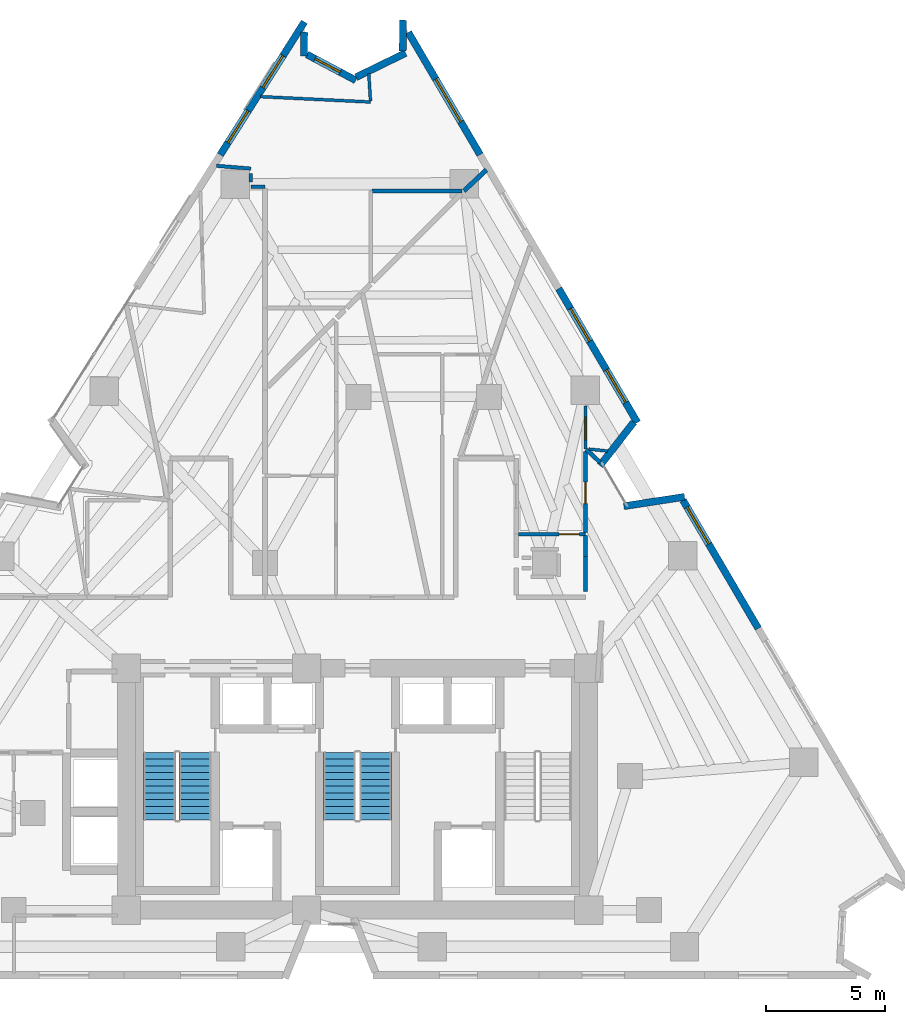
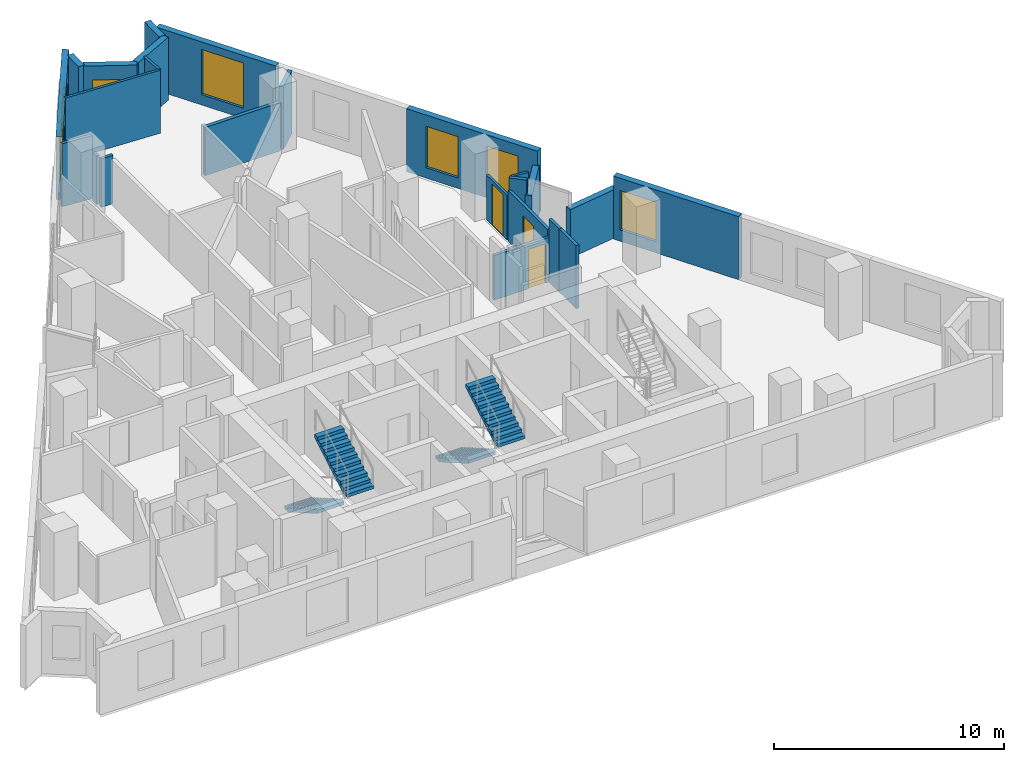
# One storey, part 9 of 12: 24 walls, 7 windows, 4 stair flights, 3 doors, 10 openings, 2 elements without a shape of their own.
"""IFC4 building model written with IfcOpenShell, lengths in metres."""

from ifc_helpers import new_model, si_unit, direction, frame, frame_2d, origin, place, context, subcontext, project, spatial, polyline, rectangle, outline, extrude, material, layer, layer_set, type_object, element, fill, aggregate, save


model = new_model("IFC4")

# Units and contexts
model_context = context("Model", 3, precision=1e-05, world=origin(), true_north=direction((0.0, 1.0)))
body_context = subcontext(model_context, "Body", "Model", "MODEL_VIEW")
ifc_project = project(units=[si_unit("LENGTHUNIT", "METRE"), si_unit("AREAUNIT", "SQUARE_METRE"), si_unit("VOLUMEUNIT", "CUBIC_METRE"), si_unit("PLANEANGLEUNIT", "RADIAN"), si_unit("MASSUNIT", "GRAM", prefix="KILO")], contexts=[model_context])

# Site, building, storey
site_placement = place(None, origin())
site = spatial("IfcSite", under=ifc_project, at=site_placement, CompositionType="ELEMENT")
building_placement = place(site_placement, origin())
building = spatial("IfcBuilding", under=site, at=building_placement, Name="Almagre Mirador Tower", CompositionType="ELEMENT")
storey_placement = place(building_placement, frame((0.0, 0.0, 114.0)))
storey = spatial("IfcBuildingStorey", under=building, at=storey_placement, Name="L28", CompositionType="ELEMENT", Elevation=114.0)

# Wall, openings, windows
ifc_material_1 = material(Name="Precast concrete C50/60", Category="concrete")
ifc_layer_1 = layer(ifc_material_1, 0.300048828125)
ifc_layer_set_1 = layer_set([ifc_layer_1], Name="Precast concrete C50/60")
wall_type_1 = type_object("IfcWallType", Name="WAL-EXT-300", PredefinedType="SOLIDWALL", material=ifc_layer_set_1)
wall_1_placement = place(storey_placement, frame((31.5126953125, 36.4150390625, 0.0), z_axis=(0.0, 0.0, 1.0), x_axis=(0.534892719091, 0.844919983823, 0.0)))
wall_1 = element("IfcWall", 1, at=wall_1_placement, inside=storey, type_object=wall_type_1, Name="L28 expressed almagre precast frame wall 04", PredefinedType="SOLIDWALL", context=body_context, shape_type="SweptSolid", body=[
    extrude(rectangle(XDim=6.6337890625, YDim=0.300048828125, at=frame_2d((3.31689453125, 0.0))), origin(), (0.0, 0.0, 1.0), 3.35009765625),
])
opening_1_placement = place(wall_1_placement, frame((0.60009765625, 0.0, 0.550048828125)))
opening_1 = element("IfcOpeningElement", 2, at=opening_1_placement, cuts=wall_1, Name="Opening WN-06", PredefinedType="OPENING", context=body_context, shape_type="SweptSolid", body=[
    extrude(rectangle(XDim=1.60009765625, YDim=2.199951171875, at=frame_2d((0.800048828125, 1.10009765625))), frame((0.0, 0.159902, 0.0), z_axis=(0.0, -1.0, 0.0), x_axis=(1.0, 0.0, 0.0)), (0.0, 0.0, 1.0), 0.320049),
])
opening_2_placement = place(wall_1_placement, frame((3.35009765625, 0.0, 0.550048828125)))
opening_2 = element("IfcOpeningElement", 3, at=opening_2_placement, cuts=wall_1, Name="Opening WN-06", PredefinedType="OPENING", context=body_context, shape_type="SweptSolid", body=[
    extrude(rectangle(XDim=1.60009765625, YDim=2.199951171875, at=frame_2d((0.800048828125, 1.10009765625))), frame((0.0, 0.159902, 0.0), z_axis=(0.0, -1.0, 0.0), x_axis=(1.0, 0.0, 0.0)), (0.0, 0.0, 1.0), 0.320049),
])
ifc_material_2 = material(Name="Dark solar-control laminated hurricane glass", Category="glass")
window_type_1 = type_object("IfcWindowType", Name="WIN-1600X2200", PartitioningType="DOUBLE_PANEL_VERTICAL", PredefinedType="WINDOW", material=ifc_material_2)
window_1_placement = place(opening_1_placement, origin())
window_1 = element("IfcWindow", 4, at=window_1_placement, inside=storey, type_object=window_type_1, Name="L28 recessed hurricane window L28-UJ-HB", OverallHeight=2.199951171875, OverallWidth=1.60009765625, PartitioningType="SINGLE_PANEL", PredefinedType="WINDOW", context=body_context, shape_type="SweptSolid", body=[
    extrude(rectangle(XDim=1.60009765625, YDim=2.199951171875, at=frame_2d((0.800048828125, 1.10009765625))), frame((0.0, 0.030029296875, 0.0), z_axis=(0.0, -1.0, 0.0), x_axis=(1.0, 0.0, 0.0)), (0.0, 0.0, 1.0), 0.06005859375),
])
fill(opening_1, window_1)
window_2_placement = place(opening_2_placement, origin())
window_2 = element("IfcWindow", 5, at=window_2_placement, inside=storey, type_object=window_type_1, Name="L28 recessed hurricane window L28-UL-KT", OverallHeight=2.199951171875, OverallWidth=1.60009765625, PartitioningType="SINGLE_PANEL", PredefinedType="WINDOW", context=body_context, shape_type="SweptSolid", body=[
    extrude(rectangle(XDim=1.60009765625, YDim=2.199951171875, at=frame_2d((0.800048828125, 1.10009765625))), frame((0.0, 0.030029296875, 0.0), z_axis=(0.0, -1.0, 0.0), x_axis=(1.0, 0.0, 0.0)), (0.0, 0.0, 1.0), 0.06005859375),
])
fill(opening_2, window_2)

# Wall
wall_2_placement = place(storey_placement, frame((35.0537109375, 41.585205078125, 0.0), z_axis=(0.0, 0.0, 1.0), x_axis=(-0.016913964816, -0.999856948665, 0.0)))
element("IfcWall", 6, at=wall_2_placement, inside=storey, type_object=wall_type_1, Name="L28 expressed almagre precast frame wall 05", PredefinedType="SOLIDWALL", context=body_context, shape_type="SweptSolid", body=[
    extrude(rectangle(XDim=1.010498046875, YDim=0.300048828125, at=frame_2d((0.50537109375, 0.0))), origin(), (0.0, 0.0, 1.0), 3.35009765625),
])

# Wall, opening, window
wall_3_placement = place(storey_placement, frame((35.1669921875, 40.647216796875, 0.0), z_axis=(0.0, 0.0, 1.0), x_axis=(0.883555999994, -0.468325522339, 0.0)))
wall_3 = element("IfcWall", 7, at=wall_3_placement, inside=storey, type_object=wall_type_1, Name="L28 expressed almagre precast frame wall 06", PredefinedType="SOLIDWALL", context=body_context, shape_type="SweptSolid", body=[
    extrude(rectangle(XDim=2.331298828125, YDim=0.300048828125, at=frame_2d((1.16552734375, 0.0))), origin(), (0.0, 0.0, 1.0), 3.35009765625),
])
opening_3_placement = place(wall_3_placement, frame((0.389892578125, 0.0, 0.800048828125)))
opening_3 = element("IfcOpeningElement", 8, at=opening_3_placement, cuts=wall_3, Name="Opening WN-04", PredefinedType="OPENING", context=body_context, shape_type="SweptSolid", body=[
    extrude(rectangle(XDim=1.199951171875, YDim=1.800048828125, at=frame_2d((0.60009765625, 0.89990234375))), frame((0.0, 0.159902, 0.0), z_axis=(0.0, -1.0, 0.0), x_axis=(1.0, 0.0, 0.0)), (0.0, 0.0, 1.0), 0.320049),
])
ifc_material_3 = material(Name="Dark solar-control laminated hurricane glass", Category="glass")
window_type_2 = type_object("IfcWindowType", Name="WIN-1200X1800", PartitioningType="SINGLE_PANEL", PredefinedType="WINDOW", material=ifc_material_3)
window_3_placement = place(opening_3_placement, origin())
window_3 = element("IfcWindow", 9, at=window_3_placement, inside=storey, type_object=window_type_2, Name="L28 recessed hurricane window L28-UL-KT", OverallHeight=1.800048828125, OverallWidth=1.199951171875, PartitioningType="SINGLE_PANEL", PredefinedType="WINDOW", context=body_context, shape_type="SweptSolid", body=[
    extrude(rectangle(XDim=1.199951171875, YDim=1.800048828125, at=frame_2d((0.60009765625, 0.89990234375))), frame((0.0, 0.030029296875, 0.0), z_axis=(0.0, -1.0, 0.0), x_axis=(1.0, 0.0, 0.0)), (0.0, 0.0, 1.0), 0.06005859375),
])
fill(opening_3, window_3)

# Walls
wall_4_placement = place(storey_placement, frame((37.2421875, 39.68896484375, 0.0), z_axis=(0.0, 0.0, 1.0), x_axis=(0.898736119344, 0.438489894738, 0.0)))
element("IfcWall", 10, at=wall_4_placement, inside=storey, type_object=wall_type_1, Name="L28 expressed almagre precast frame wall 07", PredefinedType="SOLIDWALL", context=body_context, shape_type="SweptSolid", body=[
    extrude(rectangle(XDim=2.32275390625, YDim=0.300048828125, at=frame_2d((1.161376953125, 0.0))), origin(), (0.0, 0.0, 1.0), 3.35009765625),
])
wall_5_placement = place(storey_placement, frame((39.206298828125, 40.791015625, 0.0), z_axis=(0.0, 0.0, 1.0), x_axis=(0.01614812892, 0.999869610465, 0.0)))
element("IfcWall", 11, at=wall_5_placement, inside=storey, type_object=wall_type_1, Name="L28 expressed almagre precast frame wall 08", PredefinedType="SOLIDWALL", context=body_context, shape_type="SweptSolid", body=[
    extrude(rectangle(XDim=1.30029296875, YDim=0.300048828125, at=frame_2d((0.650146484375, 0.0))), origin(), (0.0, 0.0, 1.0), 3.35009765625),
])

# Wall, opening, window
wall_6_placement = place(storey_placement, frame((39.442626953125, 41.580078125, 0.0), z_axis=(0.0, 0.0, 1.0), x_axis=(0.506342397937, -0.862332520581, 0.0)))
wall_6 = element("IfcWall", 12, at=wall_6_placement, inside=storey, type_object=wall_type_1, Name="L28 expressed almagre precast frame wall 09", PredefinedType="SOLIDWALL", context=body_context, shape_type="SweptSolid", body=[
    extrude(rectangle(XDim=5.983642578125, YDim=0.300048828125, at=frame_2d((2.99169921875, 0.0))), origin(), (0.0, 0.0, 1.0), 3.35009765625),
])
opening_4_placement = place(wall_6_placement, frame((2.280029296875, 0.0, 0.550048828125)))
opening_4 = element("IfcOpeningElement", 13, at=opening_4_placement, cuts=wall_6, Name="Opening WN-05", PredefinedType="OPENING", context=body_context, shape_type="SweptSolid", body=[
    extrude(rectangle(XDim=2.10009765625, YDim=2.39990234375, at=frame_2d((1.050048828125, 1.199951171875))), frame((0.0, 0.159902, 0.0), z_axis=(0.0, -1.0, 0.0), x_axis=(1.0, 0.0, 0.0)), (0.0, 0.0, 1.0), 0.320049),
])
ifc_material_4 = material(Name="Dark solar-control laminated hurricane glass", Category="glass")
window_type_3 = type_object("IfcWindowType", Name="WIN-2100X2400", PartitioningType="DOUBLE_PANEL_VERTICAL", PredefinedType="WINDOW", material=ifc_material_4)
window_4_placement = place(opening_4_placement, origin())
window_4 = element("IfcWindow", 14, at=window_4_placement, inside=storey, type_object=window_type_3, Name="L28 recessed hurricane window L28-UL-MB", OverallHeight=2.39990234375, OverallWidth=2.10009765625, PartitioningType="SINGLE_PANEL", PredefinedType="WINDOW", context=body_context, shape_type="SweptSolid", body=[
    extrude(rectangle(XDim=2.10009765625, YDim=2.39990234375, at=frame_2d((1.050048828125, 1.199951171875))), frame((0.0, 0.030029296875, 0.0), z_axis=(0.0, -1.0, 0.0), x_axis=(1.0, 0.0, 0.0)), (0.0, 0.0, 1.0), 0.06005859375),
])
fill(opening_4, window_4)

# Wall, openings, windows
wall_7_placement = place(storey_placement, frame((45.79052734375, 30.768798828125, 0.0), z_axis=(0.0, 0.0, 1.0), x_axis=(0.506326446954, -0.862341886443, 0.0)))
wall_7 = element("IfcWall", 15, at=wall_7_placement, inside=storey, type_object=wall_type_1, Name="L28 expressed almagre precast frame wall 11", PredefinedType="SOLIDWALL", context=body_context, shape_type="SweptSolid", body=[
    extrude(rectangle(XDim=6.5537109375, YDim=0.300048828125, at=frame_2d((3.27685546875, 0.0))), origin(), (0.0, 0.0, 1.0), 3.35009765625),
])
opening_5_placement = place(wall_7_placement, frame((0.97509765625, 0.0, 0.550048828125)))
opening_5 = element("IfcOpeningElement", 16, at=opening_5_placement, cuts=wall_7, Name="Opening WN-06", PredefinedType="OPENING", context=body_context, shape_type="SweptSolid", body=[
    extrude(rectangle(XDim=1.60009765625, YDim=2.199951171875, at=frame_2d((0.800048828125, 1.10009765625))), frame((0.0, 0.159902, 0.0), z_axis=(0.0, -1.0, 0.0), x_axis=(1.0, 0.0, 0.0)), (0.0, 0.0, 1.0), 0.320049),
])
opening_6_placement = place(wall_7_placement, frame((3.97509765625, 0.0, 0.550048828125)))
opening_6 = element("IfcOpeningElement", 17, at=opening_6_placement, cuts=wall_7, Name="Opening WN-06", PredefinedType="OPENING", context=body_context, shape_type="SweptSolid", body=[
    extrude(rectangle(XDim=1.60009765625, YDim=2.199951171875, at=frame_2d((0.800048828125, 1.10009765625))), frame((0.0, 0.159902, 0.0), z_axis=(0.0, -1.0, 0.0), x_axis=(1.0, 0.0, 0.0)), (0.0, 0.0, 1.0), 0.320049),
])
window_5_placement = place(opening_5_placement, origin())
window_5 = element("IfcWindow", 18, at=window_5_placement, inside=storey, type_object=window_type_1, Name="L28 recessed hurricane window L28-UH-LV", OverallHeight=2.199951171875, OverallWidth=1.60009765625, PartitioningType="SINGLE_PANEL", PredefinedType="WINDOW", context=body_context, shape_type="SweptSolid", body=[
    extrude(rectangle(XDim=1.60009765625, YDim=2.199951171875, at=frame_2d((0.800048828125, 1.10009765625))), frame((0.0, 0.030029296875, 0.0), z_axis=(0.0, -1.0, 0.0), x_axis=(1.0, 0.0, 0.0)), (0.0, 0.0, 1.0), 0.06005859375),
])
fill(opening_5, window_5)
window_6_placement = place(opening_6_placement, origin())
window_6 = element("IfcWindow", 19, at=window_6_placement, inside=storey, type_object=window_type_1, Name="L28 recessed hurricane window L28-UH-KT", OverallHeight=2.199951171875, OverallWidth=1.60009765625, PartitioningType="SINGLE_PANEL", PredefinedType="WINDOW", context=body_context, shape_type="SweptSolid", body=[
    extrude(rectangle(XDim=1.60009765625, YDim=2.199951171875, at=frame_2d((0.800048828125, 1.10009765625))), frame((0.0, 0.030029296875, 0.0), z_axis=(0.0, -1.0, 0.0), x_axis=(1.0, 0.0, 0.0)), (0.0, 0.0, 1.0), 0.06005859375),
])
fill(opening_6, window_6)

# Walls
wall_8_placement = place(storey_placement, frame((48.955078125, 25.131591796875, 0.0), z_axis=(0.0, 0.0, 1.0), x_axis=(-0.614326980446, -0.789051557946, 0.0)))
element("IfcWall", 20, at=wall_8_placement, inside=storey, type_object=wall_type_1, Name="L28 expressed almagre precast frame wall 12", PredefinedType="SOLIDWALL", context=body_context, shape_type="SweptSolid", body=[
    extrude(rectangle(XDim=2.318115234375, YDim=0.300048828125, at=frame_2d((1.1591796875, 0.0))), origin(), (0.0, 0.0, 1.0), 2.574951171875),
])
wall_9_placement = place(storey_placement, frame((48.53662109375, 21.588623046875, 0.0), z_axis=(0.0, 0.0, 1.0), x_axis=(0.988351014823, 0.152191561848, 0.0)))
element("IfcWall", 21, at=wall_9_placement, inside=storey, type_object=wall_type_1, Name="L28 expressed almagre precast frame wall 13", PredefinedType="SOLIDWALL", context=body_context, shape_type="SweptSolid", body=[
    extrude(rectangle(XDim=2.593994140625, YDim=0.300048828125, at=frame_2d((1.296875, 0.0))), origin(), (0.0, 0.0, 1.0), 2.574951171875),
])

# Wall, opening, window
wall_10_placement = place(storey_placement, frame((51.032958984375, 21.84130859375, 0.0), z_axis=(0.0, 0.0, 1.0), x_axis=(0.506317595085, -0.862347083782, 0.0)))
wall_10 = element("IfcWall", 22, at=wall_10_placement, inside=storey, type_object=wall_type_1, Name="L28 expressed almagre precast frame wall 14", PredefinedType="SOLIDWALL", context=body_context, shape_type="SweptSolid", body=[
    extrude(rectangle(XDim=6.273681640625, YDim=0.300048828125, at=frame_2d((3.13671875, 0.0))), origin(), (0.0, 0.0, 1.0), 3.35009765625),
])
opening_7_placement = place(wall_10_placement, frame((0.344970703125, 0.0, 0.60009765625)))
opening_7 = element("IfcOpeningElement", 23, at=opening_7_placement, cuts=wall_10, Name="Opening WN-01", PredefinedType="OPENING", context=body_context, shape_type="SweptSolid", body=[
    extrude(rectangle(XDim=1.800048828125, YDim=2.10009765625, at=frame_2d((0.89990234375, 1.050048828125))), frame((0.0, 0.159902, 0.0), z_axis=(0.0, -1.0, 0.0), x_axis=(1.0, 0.0, 0.0)), (0.0, 0.0, 1.0), 0.320049),
])
ifc_material_5 = material(Name="Dark solar-control laminated hurricane glass", Category="glass")
window_type_4 = type_object("IfcWindowType", Name="WIN-1800X2100", PartitioningType="DOUBLE_PANEL_VERTICAL", PredefinedType="WINDOW", material=ifc_material_5)
window_7_placement = place(opening_7_placement, origin())
window_7 = element("IfcWindow", 24, at=window_7_placement, inside=storey, type_object=window_type_4, Name="L28 recessed hurricane window L28-UH-MB", OverallHeight=2.10009765625, OverallWidth=1.800048828125, PartitioningType="SINGLE_PANEL", PredefinedType="WINDOW", context=body_context, shape_type="SweptSolid", body=[
    extrude(rectangle(XDim=1.800048828125, YDim=2.10009765625, at=frame_2d((0.89990234375, 1.050048828125))), frame((0.0, 0.030029296875, 0.0), z_axis=(0.0, -1.0, 0.0), x_axis=(1.0, 0.0, 0.0)), (0.0, 0.0, 1.0), 0.06005859375),
])
fill(opening_7, window_7)

# Wall, opening, door
ifc_material_6 = material(Name="Gypsum acoustic stud partition", Category="other")
ifc_layer_2 = layer(ifc_material_6, 0.125)
ifc_layer_set_2 = layer_set([ifc_layer_2], Name="Gypsum acoustic stud partition")
wall_type_2 = type_object("IfcWallType", Name="WAL-PRT-125-UTL", PredefinedType="PARTITIONING", material=ifc_layer_set_2)
wall_11_placement = place(storey_placement, frame((46.919921875, 24.010009765625, 0.0), z_axis=(0.0, 0.0, 1.0), x_axis=(0.0, 1.0, 0.0)))
wall_11 = element("IfcWall", 25, at=wall_11_placement, inside=storey, type_object=wall_type_2, Name="L28 interior partition 069", PredefinedType="PARTITIONING", context=body_context, shape_type="SweptSolid", body=[
    extrude(rectangle(XDim=1.81005859375, YDim=0.125, at=frame_2d((0.905029296875, 0.0))), origin(), (0.0, 0.0, 1.0), 2.3720703125),
])
opening_8_placement = place(wall_11_placement, frame((0.3720703125, 0.0, 0.0)))
opening_8 = element("IfcOpeningElement", 26, at=opening_8_placement, cuts=wall_11, Name="Opening UD-01", PredefinedType="OPENING", context=body_context, shape_type="SweptSolid", body=[
    extrude(rectangle(XDim=0.949951171875, YDim=2.199951171875, at=frame_2d((0.47509765625, 1.10009765625))), frame((0.0, 0.0725, 0.0), z_axis=(0.0, -1.0, 0.0), x_axis=(1.0, 0.0, 0.0)), (0.0, 0.0, 1.0), 0.145),
])
ifc_material_7 = material(Name="Solid American walnut timber", Category="wood")
door_type_1 = type_object("IfcDoorType", Name="DOR-UNR-950X2200", OperationType="NOTDEFINED", PredefinedType="DOOR", material=ifc_material_7)
door_1_placement = place(opening_8_placement, origin())
door_1 = element("IfcDoor", 27, at=door_1_placement, inside=storey, type_object=door_type_1, Name="DR-0927 L28 interior door L28-UH-LV to L28-UH-KT", OperationType="SINGLE_SWING_LEFT", OverallHeight=2.199951171875, OverallWidth=0.949951171875, PredefinedType="DOOR", context=body_context, shape_type="SweptSolid", body=[
    extrude(rectangle(XDim=0.949951171875, YDim=2.199951171875, at=frame_2d((0.47509765625, 1.10009765625))), frame((0.0, 0.02490234375, 0.0), z_axis=(0.0, -1.0, 0.0), x_axis=(1.0, 0.0, 0.0)), (0.0, 0.0, 1.0), 0.050048828125),
])
fill(opening_8, door_1)

# Walls
wall_12_placement = place(storey_placement, frame((47.06689453125, 23.9970703125, 0.0), z_axis=(0.0, 0.0, 1.0), x_axis=(0.99466575773, -0.103150523024, 0.0)))
element("IfcWall", 28, at=wall_12_placement, inside=storey, type_object=wall_type_2, Name="L28 interior partition 074", PredefinedType="PARTITIONING", context=body_context, shape_type="SweptSolid", body=[
    extrude(rectangle(XDim=0.795166015625, YDim=0.125, at=frame_2d((0.3974609375, 0.0))), origin(), (0.0, 0.0, 1.0), 3.35009765625),
])
wall_13_placement = place(storey_placement, frame((37.85009765625, 38.639892578125, 0.0), z_axis=(0.0, 0.0, 1.0), x_axis=(-0.998808611293, 0.04879915989, 0.0)))
element("IfcWall", 29, at=wall_13_placement, inside=storey, type_object=wall_type_2, Name="L28 interior partition 089", PredefinedType="PARTITIONING", context=body_context, shape_type="SweptSolid", body=[
    extrude(rectangle(XDim=4.65283203125, YDim=0.125, at=frame_2d((2.326416015625, 0.0))), origin(), (0.0, 0.0, 1.0), 3.35009765625),
])
wall_14_placement = place(storey_placement, frame((37.84765625, 38.6875, 0.0), z_axis=(0.0, 0.0, 1.0), x_axis=(-0.061621436475, 0.998099593511, 0.0)))
element("IfcWall", 30, at=wall_14_placement, inside=storey, type_object=wall_type_2, Name="L28 interior partition 092", PredefinedType="PARTITIONING", context=body_context, shape_type="SweptSolid", body=[
    extrude(rectangle(XDim=1.164794921875, YDim=0.125, at=frame_2d((0.58251953125, 0.0))), origin(), (0.0, 0.0, 1.0), 3.35009765625),
])

# Wall, opening, door
ifc_material_8 = material(Name="Gypsum acoustic stud partition", Category="other")
ifc_layer_3 = layer(ifc_material_8, 0.14990234375)
ifc_layer_set_3 = layer_set([ifc_layer_3], Name="Gypsum acoustic stud partition")
wall_type_3 = type_object("IfcWallType", Name="WAL-PRT-150-STD", PredefinedType="PARTITIONING", material=ifc_layer_set_3)
wall_15_placement = place(storey_placement, frame((44.0849609375, 20.409912109375, 0.0), z_axis=(0.0, 0.0, 1.0), x_axis=(1.0, 0.0, 0.0)))
wall_15 = element("IfcWall", 31, at=wall_15_placement, inside=storey, type_object=wall_type_3, Name="L28 interior partition 068", PredefinedType="PARTITIONING", context=body_context, shape_type="SweptSolid", body=[
    extrude(rectangle(XDim=2.8349609375, YDim=0.14990234375, at=frame_2d((1.41748046875, 0.0))), origin(), (0.0, 0.0, 1.0), 2.3720703125),
])
opening_9_placement = place(wall_15_placement, frame((1.7255859375, 0.0, 0.0)))
opening_9 = element("IfcOpeningElement", 32, at=opening_9_placement, cuts=wall_15, Name="Opening UD-04", PredefinedType="OPENING", context=body_context, shape_type="SweptSolid", body=[
    extrude(rectangle(XDim=0.85009765625, YDim=2.10009765625, at=frame_2d((0.425048828125, 1.050048828125))), frame((0.0, 0.084951, 0.0), z_axis=(0.0, -1.0, 0.0), x_axis=(1.0, 0.0, 0.0)), (0.0, 0.0, 1.0), 0.169902),
])
ifc_material_9 = material(Name="Moisture-resistant oak timber", Category="wood")
door_type_2 = type_object("IfcDoorType", Name="DOR-UNR-850X2100", OperationType="NOTDEFINED", PredefinedType="DOOR", material=ifc_material_9)
door_2_placement = place(opening_9_placement, origin())
door_2 = element("IfcDoor", 33, at=door_2_placement, inside=storey, type_object=door_type_2, Name="DR-0928 L28 interior door L28-UH-LV to L28-UH-HB", OperationType="SINGLE_SWING_RIGHT", OverallHeight=2.10009765625, OverallWidth=0.85009765625, PredefinedType="DOOR", context=body_context, shape_type="SweptSolid", body=[
    extrude(rectangle(XDim=0.85009765625, YDim=2.10009765625, at=frame_2d((0.425048828125, 1.050048828125))), frame((0.0, 0.02490234375, 0.0), z_axis=(0.0, -1.0, 0.0), x_axis=(1.0, 0.0, 0.0)), (0.0, 0.0, 1.0), 0.050048828125),
])
fill(opening_9, door_2)

wall_16_placement = place(storey_placement, frame((46.919921875, 20.469970703125, 0.0), z_axis=(0.0, 0.0, 1.0), x_axis=(0.0, 1.0, 0.0)))
wall_16 = element("IfcWall", 34, at=wall_16_placement, inside=storey, type_object=wall_type_3, Name="L28 interior partition 070", PredefinedType="PARTITIONING", context=body_context, shape_type="SweptSolid", body=[
    extrude(rectangle(XDim=3.425048828125, YDim=0.14990234375, at=frame_2d((1.71240234375, 0.0))), origin(), (0.0, 0.0, 1.0), 2.7119140625),
])
opening_10_placement = place(wall_16_placement, frame((1.232421875, 0.0, 0.0)))
opening_10 = element("IfcOpeningElement", 35, at=opening_10_placement, cuts=wall_16, Name="Opening UD-02", PredefinedType="OPENING", context=body_context, shape_type="SweptSolid", body=[
    extrude(rectangle(XDim=0.89990234375, YDim=2.14990234375, at=frame_2d((0.449951171875, 1.074951171875))), frame((0.0, 0.084951, 0.0), z_axis=(0.0, -1.0, 0.0), x_axis=(1.0, 0.0, 0.0)), (0.0, 0.0, 1.0), 0.169902),
])
ifc_material_10 = material(Name="Solid American walnut timber", Category="wood")
door_type_3 = type_object("IfcDoorType", Name="DOR-UNR-900X2150", OperationType="NOTDEFINED", PredefinedType="DOOR", material=ifc_material_10)
door_3_placement = place(opening_10_placement, origin())
door_3 = element("IfcDoor", 36, at=door_3_placement, inside=storey, type_object=door_type_3, Name="DR-0929 L28 interior door L28-UH-LV to L28-UH-MB", OperationType="SINGLE_SWING_LEFT", OverallHeight=2.14990234375, OverallWidth=0.89990234375, PredefinedType="DOOR", context=body_context, shape_type="SweptSolid", body=[
    extrude(rectangle(XDim=0.89990234375, YDim=2.14990234375, at=frame_2d((0.449951171875, 1.074951171875))), frame((0.0, 0.02490234375, 0.0), z_axis=(0.0, -1.0, 0.0), x_axis=(1.0, 0.0, 0.0)), (0.0, 0.0, 1.0), 0.050048828125),
])
fill(opening_10, door_3)

# Walls
wall_17_placement = place(storey_placement, frame((46.919921875, 19.4599609375, 0.0), z_axis=(0.0, 0.0, 1.0), x_axis=(0.0, 1.0, 0.0)))
element("IfcWall", 37, at=wall_17_placement, inside=storey, type_object=wall_type_3, Name="L28 interior partition 073", PredefinedType="PARTITIONING", context=body_context, shape_type="SweptSolid", body=[
    extrude(rectangle(XDim=0.89013671875, YDim=0.14990234375, at=frame_2d((0.445068359375, 0.0))), origin(), (0.0, 0.0, 1.0), 3.35009765625),
])
wall_18_placement = place(storey_placement, frame((33.39990234375, 35.06005859375, 0.0), z_axis=(0.0, 0.0, 1.0), x_axis=(-1.0, 0.0, 0.0)))
element("IfcWall", 38, at=wall_18_placement, inside=storey, type_object=wall_type_3, Name="L28 interior partition 075", PredefinedType="PARTITIONING", context=body_context, shape_type="SweptSolid", body=[
    extrude(rectangle(XDim=0.599853515625, YDim=0.14990234375, at=frame_2d((0.2998046875, 0.0))), origin(), (0.0, 0.0, 1.0), 2.570068359375),
])
wall_19_placement = place(storey_placement, frame((46.919921875, 17.989990234375, 0.0), z_axis=(0.0, 0.0, 1.0), x_axis=(0.0, 1.0, 0.0)))
element("IfcWall", 39, at=wall_19_placement, inside=storey, type_object=wall_type_3, Name="L28 interior partition 105", PredefinedType="PARTITIONING", context=body_context, shape_type="SweptSolid", body=[
    extrude(rectangle(XDim=1.469970703125, YDim=0.14990234375, at=frame_2d((0.73486328125, 0.0))), origin(), (0.0, 0.0, 1.0), 3.35009765625),
])
wall_20_placement = place(storey_placement, frame((31.346923828125, 35.948974609375, 0.0), z_axis=(0.0, 0.0, 1.0), x_axis=(0.996669356606, -0.081548719198, 0.0)))
element("IfcWall", 40, at=wall_20_placement, inside=storey, type_object=wall_type_3, Name="L28 interior partition 108", PredefinedType="PARTITIONING", context=body_context, shape_type="SweptSolid", body=[
    extrude(rectangle(XDim=1.4580078125, YDim=0.14990234375, at=frame_2d((0.72900390625, 0.0))), origin(), (0.0, 0.0, 1.0), 3.35009765625),
])
wall_21_placement = place(storey_placement, frame((32.800048828125, 35.614990234375, 0.0), z_axis=(0.0, 0.0, 1.0), x_axis=(0.0, -1.0, 0.0)))
element("IfcWall", 41, at=wall_21_placement, inside=storey, type_object=wall_type_3, Name="L28 interior partition 109", PredefinedType="PARTITIONING", context=body_context, shape_type="SweptSolid", body=[
    extrude(rectangle(XDim=0.340087890625, YDim=0.14990234375, at=frame_2d((0.169921875, 0.0))), origin(), (0.0, 0.0, 1.0), 2.570068359375),
])
ifc_material_11 = material(Name="Gypsum acoustic stud partition", Category="other")
ifc_layer_4 = layer(ifc_material_11, 0.175048828125)
ifc_layer_set_4 = layer_set([ifc_layer_4], Name="Gypsum acoustic stud partition")
wall_type_4 = type_object("IfcWallType", Name="WAL-PRT-175-AC", PredefinedType="PARTITIONING", material=ifc_layer_set_4)
wall_22_placement = place(storey_placement, frame((37.909912109375, 34.889892578125, 0.0), z_axis=(0.0, 0.0, 1.0), x_axis=(1.0, 0.0, 0.0)))
element("IfcWall", 42, at=wall_22_placement, inside=storey, type_object=wall_type_4, Name="L28 interior partition 093", PredefinedType="PARTITIONING", context=body_context, shape_type="SweptSolid", body=[
    extrude(rectangle(XDim=3.795166015625, YDim=0.175048828125, at=frame_2d((1.8974609375, 0.0))), origin(), (0.0, 0.0, 1.0), 2.570068359375),
])
wall_23_placement = place(storey_placement, frame((47.528076171875, 23.443115234375, 0.0), z_axis=(0.0, 0.0, 1.0), x_axis=(-0.731583247314, 0.681752119358, 0.0)))
element("IfcWall", 43, at=wall_23_placement, inside=storey, type_object=wall_type_4, Name="L28 interior partition 096", PredefinedType="PARTITIONING", context=body_context, shape_type="SweptSolid", body=[
    extrude(rectangle(XDim=0.783935546875, YDim=0.175048828125, at=frame_2d((0.39208984375, 0.0))), origin(), (0.0, 0.0, 1.0), 3.35009765625),
])
ifc_material_12 = material(Name="Gypsum acoustic stud partition", Category="other")
ifc_layer_5 = layer(ifc_material_12, 0.199951171875)
ifc_layer_set_5 = layer_set([ifc_layer_5], Name="Gypsum acoustic stud partition")
wall_type_5 = type_object("IfcWallType", Name="WAL-PRT-200-EI60", PredefinedType="PARTITIONING", material=ifc_layer_set_5)
wall_24_placement = place(storey_placement, frame((42.738037109375, 35.779052734375, 0.0), z_axis=(0.0, 0.0, 1.0), x_axis=(-0.729379024936, -0.684109814272, 0.0)))
element("IfcWall", 44, at=wall_24_placement, inside=storey, type_object=wall_type_5, Name="L28 interior partition 086", PredefinedType="PARTITIONING", context=body_context, shape_type="SweptSolid", body=[
    extrude(rectangle(XDim=1.2998046875, YDim=0.199951171875, at=frame_2d((0.64990234375, 0.0))), origin(), (0.0, 0.0, 1.0), 3.35009765625),
])

# Stair, stair flights
ifc_material_13 = material(Name="Concrete C45/55", Category="concrete")
stair_type = type_object("IfcStairType", Name="STR-DL-3600", PredefinedType="HALF_TURN_STAIR", material=ifc_material_13)
stair_1_placement = place(storey_placement, origin())
stair_1 = element("IfcStair", 45, at=stair_1_placement, inside=storey, type_object=stair_type, Name="L28 Protected exit stair ST-1", PredefinedType="HALF_TURN_STAIR")
ifc_material_14 = material(Name="Concrete C45/55", Category="concrete")
stair_flight_type = type_object("IfcStairFlightType", Name="FLT-DL-3600", PredefinedType="STRAIGHT", material=ifc_material_14)
stair_flight_1_placement = place(storey_placement, frame((28.949951171875, 11.199951171875, 0.0), z_axis=(0.0, 0.0, 1.0), x_axis=(0.0, -1.0, 0.0)))
stair_flight_1 = element("IfcStairFlight", 46, at=stair_flight_1_placement, type_object=stair_flight_type, Name="ST-1 flight 1", NumberOfRisers=11, NumberOfTreads=10, PredefinedType="STRAIGHT", RiserHeight=0.163636364, TreadLength=0.285, context=body_context, shape_type="SweptSolid", body=[
    extrude(outline(polyline([(0.0, 0.0), (0.0, 0.16357421875), (0.284912109375, 0.16357421875), (0.284912109375, 0.327392578125), (0.570068359375, 0.327392578125), (0.570068359375, 0.490966796875), (0.85498046875, 0.490966796875), (0.85498046875, 0.654541015625), (1.139892578125, 0.654541015625), (1.139892578125, 0.818115234375), (1.425048828125, 0.818115234375), (1.425048828125, 0.98193359375), (1.7099609375, 0.98193359375), (1.7099609375, 1.1455078125), (1.9951171875, 1.1455078125), (1.9951171875, 1.30908203125), (2.280029296875, 1.30908203125), (2.280029296875, 1.47265625), (2.56494140625, 1.47265625), (2.56494140625, 1.636474609375), (2.85009765625, 1.636474609375), (2.85009765625, 1.800048828125), (2.85009765625, 1.463623046875), (0.301025390625, 0.0), (0.0, 0.0)])), frame((0.0, 0.675048828125, 0.0), z_axis=(0.0, -1.0, 0.0), x_axis=(1.0, 0.0, 0.0)), (0.0, 0.0, 1.0), 1.35009765625),
])
stair_flight_2_placement = place(storey_placement, frame((30.449951171875, 8.35009765625, 1.800048828125), z_axis=(0.0, 0.0, 1.0), x_axis=(0.0, 1.0, 0.0)))
stair_flight_2 = element("IfcStairFlight", 47, at=stair_flight_2_placement, type_object=stair_flight_type, Name="ST-1 flight 2", NumberOfRisers=11, NumberOfTreads=10, PredefinedType="STRAIGHT", RiserHeight=0.163636364, TreadLength=0.285, context=body_context, shape_type="SweptSolid", body=[
    extrude(outline(polyline([(0.0, 0.0), (0.0, 0.16357421875), (0.284912109375, 0.16357421875), (0.284912109375, 0.327392578125), (0.570068359375, 0.327392578125), (0.570068359375, 0.490966796875), (0.85498046875, 0.490966796875), (0.85498046875, 0.654541015625), (1.139892578125, 0.654541015625), (1.139892578125, 0.818115234375), (1.425048828125, 0.818115234375), (1.425048828125, 0.98193359375), (1.7099609375, 0.98193359375), (1.7099609375, 1.1455078125), (1.9951171875, 1.1455078125), (1.9951171875, 1.30908203125), (2.280029296875, 1.30908203125), (2.280029296875, 1.47265625), (2.56494140625, 1.47265625), (2.56494140625, 1.636474609375), (2.85009765625, 1.636474609375), (2.85009765625, 1.800048828125), (2.85009765625, 1.463623046875), (0.301025390625, 0.0), (0.0, 0.0)])), frame((0.0, 0.675048828125, 0.0), z_axis=(0.0, -1.0, 0.0), x_axis=(1.0, 0.0, 0.0)), (0.0, 0.0, 1.0), 1.35009765625),
])
aggregate(stair_1, [stair_flight_1, stair_flight_2])

stair_2_placement = place(storey_placement, origin())
stair_2 = element("IfcStair", 48, at=stair_2_placement, inside=storey, type_object=stair_type, Name="L28 Protected exit stair ST-2", PredefinedType="HALF_TURN_STAIR")
stair_flight_3_placement = place(storey_placement, frame((36.550048828125, 11.199951171875, 0.0), z_axis=(0.0, 0.0, 1.0), x_axis=(0.0, -1.0, 0.0)))
stair_flight_3 = element("IfcStairFlight", 49, at=stair_flight_3_placement, type_object=stair_flight_type, Name="ST-2 flight 1", NumberOfRisers=11, NumberOfTreads=10, PredefinedType="STRAIGHT", RiserHeight=0.163636364, TreadLength=0.285, context=body_context, shape_type="SweptSolid", body=[
    extrude(outline(polyline([(0.0, 0.0), (0.0, 0.16357421875), (0.284912109375, 0.16357421875), (0.284912109375, 0.327392578125), (0.570068359375, 0.327392578125), (0.570068359375, 0.490966796875), (0.85498046875, 0.490966796875), (0.85498046875, 0.654541015625), (1.139892578125, 0.654541015625), (1.139892578125, 0.818115234375), (1.425048828125, 0.818115234375), (1.425048828125, 0.98193359375), (1.7099609375, 0.98193359375), (1.7099609375, 1.1455078125), (1.9951171875, 1.1455078125), (1.9951171875, 1.30908203125), (2.280029296875, 1.30908203125), (2.280029296875, 1.47265625), (2.56494140625, 1.47265625), (2.56494140625, 1.636474609375), (2.85009765625, 1.636474609375), (2.85009765625, 1.800048828125), (2.85009765625, 1.463623046875), (0.301025390625, 0.0), (0.0, 0.0)])), frame((0.0, 0.675048828125, 0.0), z_axis=(0.0, -1.0, 0.0), x_axis=(1.0, 0.0, 0.0)), (0.0, 0.0, 1.0), 1.35009765625),
])
stair_flight_4_placement = place(storey_placement, frame((38.050048828125, 8.35009765625, 1.800048828125), z_axis=(0.0, 0.0, 1.0), x_axis=(0.0, 1.0, 0.0)))
stair_flight_4 = element("IfcStairFlight", 50, at=stair_flight_4_placement, type_object=stair_flight_type, Name="ST-2 flight 2", NumberOfRisers=11, NumberOfTreads=10, PredefinedType="STRAIGHT", RiserHeight=0.163636364, TreadLength=0.285, context=body_context, shape_type="SweptSolid", body=[
    extrude(outline(polyline([(0.0, 0.0), (0.0, 0.16357421875), (0.284912109375, 0.16357421875), (0.284912109375, 0.327392578125), (0.570068359375, 0.327392578125), (0.570068359375, 0.490966796875), (0.85498046875, 0.490966796875), (0.85498046875, 0.654541015625), (1.139892578125, 0.654541015625), (1.139892578125, 0.818115234375), (1.425048828125, 0.818115234375), (1.425048828125, 0.98193359375), (1.7099609375, 0.98193359375), (1.7099609375, 1.1455078125), (1.9951171875, 1.1455078125), (1.9951171875, 1.30908203125), (2.280029296875, 1.30908203125), (2.280029296875, 1.47265625), (2.56494140625, 1.47265625), (2.56494140625, 1.636474609375), (2.85009765625, 1.636474609375), (2.85009765625, 1.800048828125), (2.85009765625, 1.463623046875), (0.301025390625, 0.0), (0.0, 0.0)])), frame((0.0, 0.675048828125, 0.0), z_axis=(0.0, -1.0, 0.0), x_axis=(1.0, 0.0, 0.0)), (0.0, 0.0, 1.0), 1.35009765625),
])
aggregate(stair_2, [stair_flight_3, stair_flight_4])

save(model, "model.ifc")
